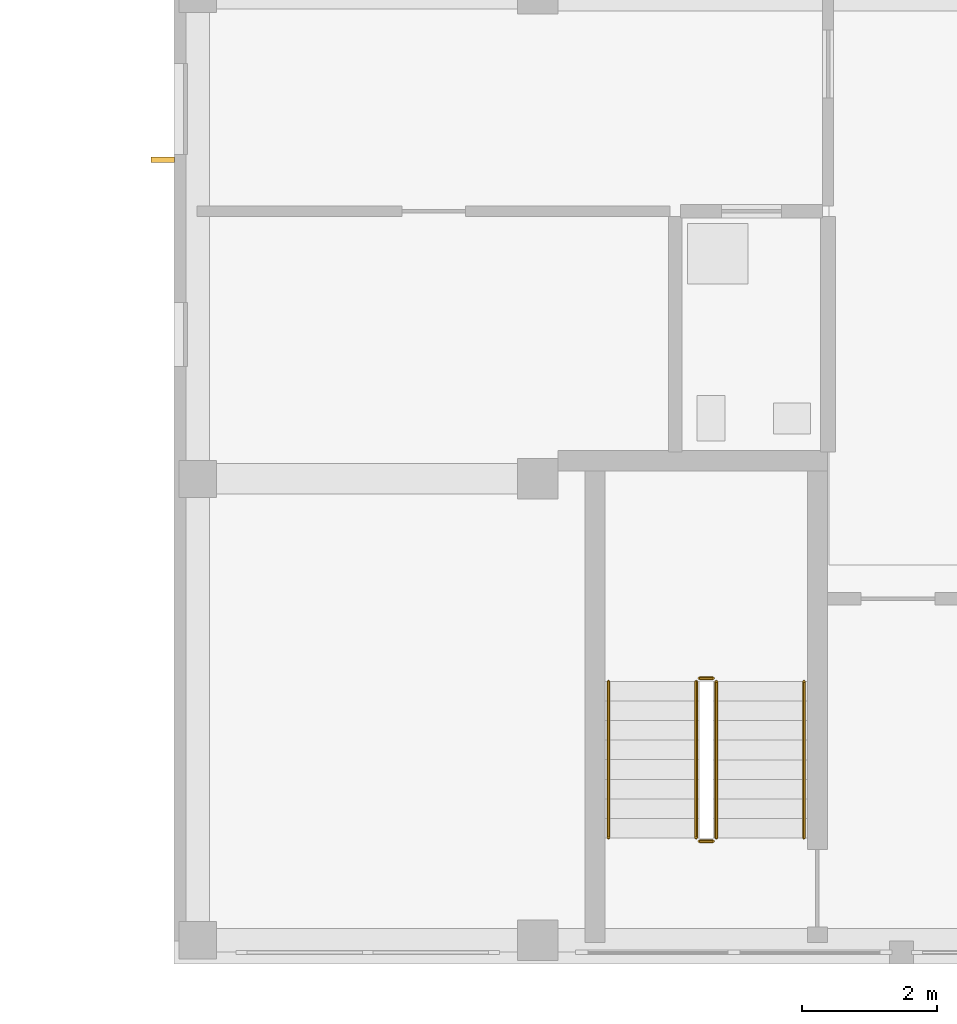
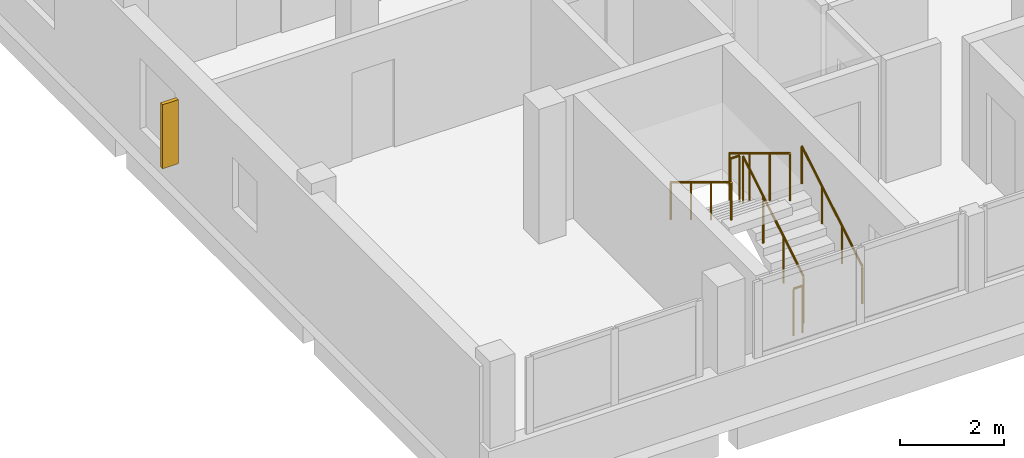
# One storey, part 31 of 35: 6 railings, 1 shading device.
"""IFC4 building model written with IfcOpenShell, lengths in metres."""

from ifc_helpers import new_model, si_unit, derived_unit, direction, frame, origin, origin_2d, place, context, subcontext, project, spatial, rectangle, circle, extrude, material, type_object, element, save


model = new_model("IFC4")

# Units and contexts
model_context = context("Model", 3, precision=1e-05, world=origin(), true_north=direction((0.0, 1.0)))
body_context = subcontext(model_context, "Body", "Model", "MODEL_VIEW")
ifc_project = project(units=[si_unit("LENGTHUNIT", "METRE"), si_unit("AREAUNIT", "SQUARE_METRE"), si_unit("VOLUMEUNIT", "CUBIC_METRE"), si_unit("PLANEANGLEUNIT", "RADIAN"), si_unit("MASSUNIT", "GRAM", prefix="KILO"), derived_unit("THERMALTRANSMITTANCEUNIT", [(si_unit("MASSUNIT", "GRAM", prefix="KILO"), 1), (si_unit("TIMEUNIT", "SECOND"), -3), (si_unit("THERMODYNAMICTEMPERATUREUNIT", "KELVIN"), -1)])], contexts=[model_context])

# Site, building, storey
site_placement = place(None, origin())
site = spatial("IfcSite", under=ifc_project, at=site_placement, CompositionType="ELEMENT")
building_placement = place(site_placement, origin())
building = spatial("IfcBuilding", under=site, at=building_placement, Name="Ochrekiln Boulevard Commons", CompositionType="ELEMENT")
storey_placement = place(building_placement, frame((0.0, 0.0, 30.97509765625)))
storey = spatial("IfcBuildingStorey", under=building, at=storey_placement, Name="L09", CompositionType="ELEMENT", Elevation=30.97509765625)

# Railings
ifc_material_1 = material(Name="Brushed stainless steel 316 tubular railing", Category="steel")
railing_type_1 = type_object("IfcRailingType", Name="RLG-HDR-900", PredefinedType="HANDRAIL", material=ifc_material_1)
railing_1_placement = place(storey_placement, frame((160.550048828125, 70.27001953125, 0.1748046875)))
element("IfcRailing", 1, at=railing_1_placement, inside=storey, type_object=railing_type_1, Name="L09 ST-B1 stair handrail 1", PredefinedType="HANDRAIL", context=body_context, shape_type="SweptSolid", body=[
    extrude(circle(Radius=0.02392578125, at=origin_2d()), frame((0.0, 0.0, 0.8759765625), z_axis=(0.0, 0.856170481923, 0.516693435108), x_axis=(-1.0, 0.0, 0.0)), (0.0, 0.0, 1.0), 2.709716796875),
    extrude(circle(Radius=0.02099609375, at=origin_2d()), origin(), (0.0, 0.0, 1.0), 0.851806640625),
    extrude(circle(Radius=0.02099609375, at=origin_2d()), frame((0.0, 0.7734375, 0.466796875)), (0.0, 0.0, 1.0), 0.851806640625),
    extrude(circle(Radius=0.02099609375, at=origin_2d()), frame((0.0, 1.546630859375, 0.933349609375)), (0.0, 0.0, 1.0), 0.851806640625),
    extrude(circle(Radius=0.02099609375, at=origin_2d()), frame((0.0, 2.320068359375, 1.400146484375)), (0.0, 0.0, 1.0), 0.851806640625),
])
railing_2_placement = place(storey_placement, frame((157.64990234375, 72.590087890625, 1.75)))
element("IfcRailing", 2, at=railing_2_placement, inside=storey, type_object=railing_type_1, Name="L09 ST-B1 stair handrail 2", PredefinedType="HANDRAIL", context=body_context, shape_type="SweptSolid", body=[
    extrude(circle(Radius=0.02392578125, at=origin_2d()), frame((0.0, 0.0, 0.8759765625), z_axis=(0.0, -0.85621033714, 0.516627388526), x_axis=(1.0, 0.0, 0.0)), (0.0, 0.0, 1.0), 2.709716796875),
    extrude(circle(Radius=0.02099609375, at=origin_2d()), origin(), (0.0, 0.0, 1.0), 0.851806640625),
    extrude(circle(Radius=0.02099609375, at=origin_2d()), frame((0.0, -0.7734375, 0.466552734375)), (0.0, 0.0, 1.0), 0.851806640625),
    extrude(circle(Radius=0.02099609375, at=origin_2d()), frame((0.0, -1.546630859375, 0.933349609375)), (0.0, 0.0, 1.0), 0.851806640625),
    extrude(circle(Radius=0.02099609375, at=origin_2d()), frame((0.0, -2.320068359375, 1.39990234375)), (0.0, 0.0, 1.0), 0.851806640625),
])
railing_type_2 = type_object("IfcRailingType", Name="RLG-STR-1120", PredefinedType="BALUSTRADE", material=ifc_material_1)
railing_3_placement = place(storey_placement, frame((159.25, 70.27001953125, 0.1748046875)))
element("IfcRailing", 3, at=railing_3_placement, inside=storey, type_object=railing_type_2, Name="L09 ST-B1 stair guard 1", PredefinedType="BALUSTRADE", context=body_context, shape_type="SweptSolid", body=[
    extrude(circle(Radius=0.02392578125, at=origin_2d()), frame((0.0, 0.0, 1.09619140625), z_axis=(0.0, 0.856170481923, 0.516693435108), x_axis=(-1.0, 0.0, 0.0)), (0.0, 0.0, 1.0), 2.709716796875),
    extrude(circle(Radius=0.02099609375, at=origin_2d()), origin(), (0.0, 0.0, 1.0), 1.072021484375),
    extrude(circle(Radius=0.02099609375, at=origin_2d()), frame((0.0, 0.7734375, 0.466796875)), (0.0, 0.0, 1.0), 1.072021484375),
    extrude(circle(Radius=0.02099609375, at=origin_2d()), frame((0.0, 1.546630859375, 0.933349609375)), (0.0, 0.0, 1.0), 1.072021484375),
    extrude(circle(Radius=0.02099609375, at=origin_2d()), frame((0.0, 2.320068359375, 1.400146484375)), (0.0, 0.0, 1.0), 1.072021484375),
])
railing_4_placement = place(storey_placement, frame((159.199951171875, 72.639892578125, 1.574951171875)))
element("IfcRailing", 4, at=railing_4_placement, inside=storey, type_object=railing_type_2, Name="L09 ST-B1 stair guard 2", PredefinedType="BALUSTRADE", context=body_context, shape_type="SweptSolid", body=[
    extrude(circle(Radius=0.02392578125, at=origin_2d()), frame((0.0, 0.0, 1.09619140625), z_axis=(-1.0, 0.0, 0.0), x_axis=(0.0, -1.0, 0.0)), (0.0, 0.0, 1.0), 0.199951171875),
    extrude(circle(Radius=0.02099609375, at=origin_2d()), origin(), (0.0, 0.0, 1.0), 1.072021484375),
    extrude(circle(Radius=0.02099609375, at=origin_2d()), frame((-0.199951171875, 0.0, 0.0)), (0.0, 0.0, 1.0), 1.072021484375),
])
railing_5_placement = place(storey_placement, frame((158.949951171875, 72.590087890625, 1.75)))
element("IfcRailing", 5, at=railing_5_placement, inside=storey, type_object=railing_type_2, Name="L09 ST-B1 stair guard 3", PredefinedType="BALUSTRADE", context=body_context, shape_type="SweptSolid", body=[
    extrude(circle(Radius=0.02392578125, at=origin_2d()), frame((0.0, 0.0, 1.09619140625), z_axis=(0.0, -0.85621033714, 0.516627388526), x_axis=(1.0, 0.0, 0.0)), (0.0, 0.0, 1.0), 2.709716796875),
    extrude(circle(Radius=0.02099609375, at=origin_2d()), origin(), (0.0, 0.0, 1.0), 1.072021484375),
    extrude(circle(Radius=0.02099609375, at=origin_2d()), frame((0.0, -0.7734375, 0.466552734375)), (0.0, 0.0, 1.0), 1.072021484375),
    extrude(circle(Radius=0.02099609375, at=origin_2d()), frame((0.0, -1.546630859375, 0.933349609375)), (0.0, 0.0, 1.0), 1.072021484375),
    extrude(circle(Radius=0.02099609375, at=origin_2d()), frame((0.0, -2.320068359375, 1.39990234375)), (0.0, 0.0, 1.0), 1.072021484375),
])
railing_6_placement = place(storey_placement, frame((159.199951171875, 70.219970703125, 0.0)))
element("IfcRailing", 6, at=railing_6_placement, inside=storey, type_object=railing_type_2, Name="L09 ST-B1 stair guard 4", PredefinedType="BALUSTRADE", context=body_context, shape_type="SweptSolid", body=[
    extrude(circle(Radius=0.02392578125, at=origin_2d()), frame((0.0, 0.0, 1.09619140625), z_axis=(-1.0, 0.0, 0.0), x_axis=(0.0, -1.0, 0.0)), (0.0, 0.0, 1.0), 0.199951171875),
    extrude(circle(Radius=0.02099609375, at=origin_2d()), origin(), (0.0, 0.0, 1.0), 1.072021484375),
    extrude(circle(Radius=0.02099609375, at=origin_2d()), frame((-0.199951171875, 0.0, 0.0)), (0.0, 0.0, 1.0), 1.072021484375),
])

# Shading device
ifc_material_2 = material(Name="Glazed architectural terracotta ASTM C1405", Category="masonry")
shading_device_type = type_object("IfcShadingDeviceType", Name="SHD-FIN-TERRA", PredefinedType="JALOUSIE", material=ifc_material_2)
shading_device_placement = place(storey_placement, frame((151.030029296875, 80.3369140625, 0.639892578125), z_axis=(0.0, 0.0, 1.0), x_axis=(1.0, 0.0, 0.0)))
element("IfcShadingDevice", 7, at=shading_device_placement, inside=storey, type_object=shading_device_type, Name="Terracotta Solar Shading Fin SF-01 (44)", PredefinedType="JALOUSIE", context=body_context, shape_type="SweptSolid", body=[
    extrude(rectangle(XDim=0.35009765625, YDim=0.080078125, at=origin_2d()), origin(), (0.0, 0.0, 1.0), 1.5),
])

save(model, "model.ifc")
